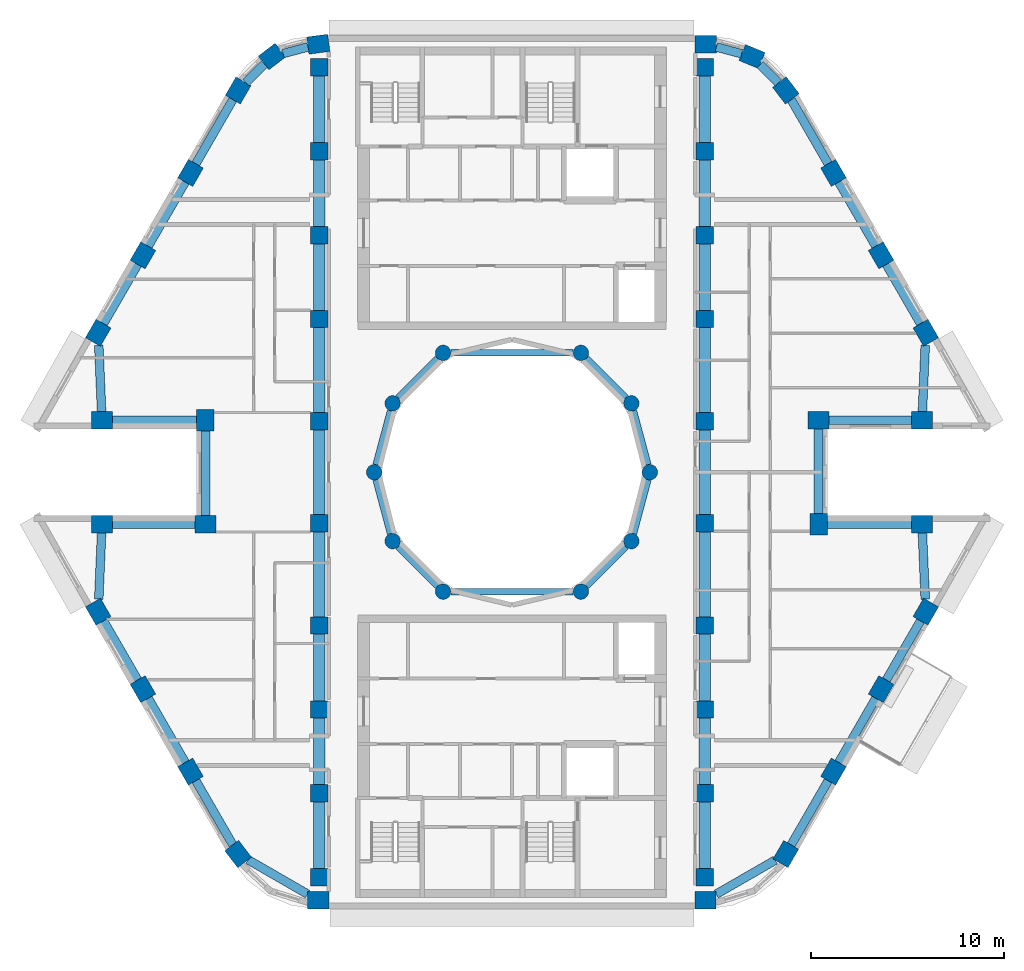
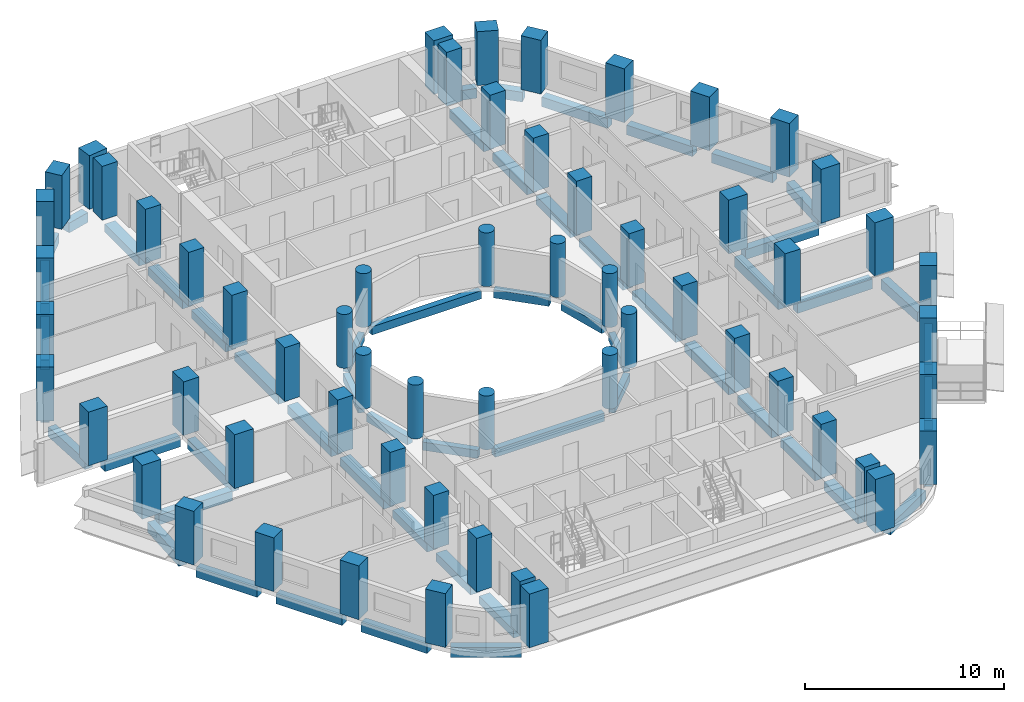
# One storey, part 1 of 12: 60 columns, 56 beams.
"""IFC4 building model written with IfcOpenShell, lengths in metres."""

from ifc_helpers import new_model, si_unit, direction, frame, origin, origin_2d, place, context, subcontext, project, spatial, rectangle, circle, extrude, material, material_profile, profile_set, type_object, element, save


model = new_model("IFC4")

# Units and contexts
model_context = context("Model", 3, precision=1e-05, world=origin(), true_north=direction((0.0, 1.0)))
body_context = subcontext(model_context, "Body", "Model", "MODEL_VIEW")
ifc_project = project(units=[si_unit("LENGTHUNIT", "METRE"), si_unit("AREAUNIT", "SQUARE_METRE"), si_unit("VOLUMEUNIT", "CUBIC_METRE"), si_unit("PLANEANGLEUNIT", "RADIAN"), si_unit("MASSUNIT", "GRAM", prefix="KILO")], contexts=[model_context])

# Site, building, storey
site_placement = place(None, origin())
site = spatial("IfcSite", under=ifc_project, at=site_placement, CompositionType="ELEMENT")
building_placement = place(site_placement, origin())
building = spatial("IfcBuilding", under=site, at=building_placement, Name="Nakaniwa Court", CompositionType="ELEMENT")
storey_placement = place(building_placement, frame((0.0, 0.0, 236.10009765625)))
storey = spatial("IfcBuildingStorey", under=building, at=storey_placement, Name="L61", CompositionType="ELEMENT", Elevation=236.10009765625)

# Columns
ifc_material = material(Name="Concrete C80/100", Category="concrete")
ifc_material_profile_1 = material_profile(ifc_material, rectangle(XDim=1.10009765625, YDim=0.89990234375, at=origin_2d()), Name="Concrete C80/100 RC 1100x900 perimeter column")
ifc_profile_set_1 = profile_set([ifc_material_profile_1], Name="Concrete C80/100")
column_type_1 = type_object("IfcColumnType", Name="Concrete C80/100 RC 1100x900 perimeter column", PredefinedType="COLUMN", material=ifc_profile_set_1)
for number, where, z_axis, x_axis, name in (
    (1, (69.95458984375, 102.199951171875, 0.0), (0.0, 0.0, 1.0), (-0.991442583111, -0.130543496177, 0.0), "COLUMN CO-01"),
    (2, (67.552001953125, 101.560302734375, 0.0), (0.0, 0.0, 1.0), (-0.793363965062, -0.608747582288, 0.0), "COLUMN CO-02"),
    (3, (65.796875, 99.799560546875, 0.0), (0.0, 0.0, 1.0), (-0.5, -0.866025403784, 0.0), "COLUMN CO-03"),
    (4, (63.328857421875, 95.524658203125, 0.0), (0.0, 0.0, 1.0), (-0.5, -0.866025403784, 0.0), "COLUMN CO-04"),
    (5, (60.860595703125, 91.249755859375, 0.0), (0.0, 0.0, 1.0), (-0.5, -0.866025403784, 0.0), "COLUMN CO-05"),
    (6, (58.541015625, 87.232177734375, 0.0), (0.0, 0.0, 1.0), (-0.5, -0.866025403784, 0.0), "COLUMN CO-06"),
    (7, (58.736083984375, 82.699951171875, 0.0), (0.0, 0.0, 1.0), (1.0, 0.0, 0.0), "COLUMN CO-08"),
    (8, (64.1005859375, 82.699951171875, 0.0), (0.0, 0.0, 1.0), (0.0, -1.0, 0.0), "COLUMN CO-09"),
    (9, (64.1005859375, 77.300048828125, 0.0), (0.0, 0.0, 1.0), (-1.0, 0.0, 0.0), "COLUMN CO-10"),
    (10, (58.736083984375, 77.300048828125, 0.0), (0.0, 0.0, 1.0), (-1.0, 0.0, 0.0), "COLUMN CO-11"),
    (11, (58.541015625, 72.767822265625, 0.0), (0.0, 0.0, 1.0), (0.5, -0.866025403784, 0.0), "COLUMN CO-13"),
    (12, (60.860595703125, 68.750244140625, 0.0), (0.0, 0.0, 1.0), (0.5, -0.866025403784, 0.0), "COLUMN CO-14"),
    (13, (63.328857421875, 64.475341796875, 0.0), (0.0, 0.0, 1.0), (0.5, -0.866025403784, 0.0), "COLUMN CO-15"),
    (14, (65.796875, 60.200439453125, 0.0), (0.0, 0.0, 1.0), (0.608761429009, -0.793353340291, 0.0), "COLUMN CO-16"),
    (15, (69.95458984375, 57.800048828125, 0.0), (0.0, 0.0, 1.0), (1.0, 0.0, 0.0), "COLUMN CO-17"),
    (16, (90.03955078125, 57.800048828125, 0.0), (0.0, 0.0, 1.0), (1.0, 0.0, 0.0), "COLUMN CO-21"),
    (17, (94.203125, 60.200439453125, 0.0), (0.0, 0.0, 1.0), (0.5, 0.866025403784, 0.0), "COLUMN CO-22"),
    (18, (96.671142578125, 64.475341796875, 0.0), (0.0, 0.0, 1.0), (0.5, 0.866025403784, 0.0), "COLUMN CO-23"),
    (19, (99.139404296875, 68.750244140625, 0.0), (0.0, 0.0, 1.0), (0.5, 0.866025403784, 0.0), "COLUMN CO-24"),
    (20, (101.458984375, 72.767822265625, 0.0), (0.0, 0.0, 1.0), (0.5, 0.866025403784, 0.0), "COLUMN CO-25"),
    (21, (101.263916015625, 77.300048828125, 0.0), (0.0, 0.0, 1.0), (-1.0, 0.0, 0.0), "COLUMN CO-27"),
    (22, (95.8994140625, 77.300048828125, 0.0), (0.0, 0.0, 1.0), (0.0, 1.0, 0.0), "COLUMN CO-28"),
    (23, (95.8994140625, 82.699951171875, 0.0), (0.0, 0.0, 1.0), (1.0, 0.0, 0.0), "COLUMN CO-29"),
    (24, (101.263916015625, 82.699951171875, 0.0), (0.0, 0.0, 1.0), (1.0, 0.0, 0.0), "COLUMN CO-30"),
    (25, (101.458984375, 87.232177734375, 0.0), (0.0, 0.0, 1.0), (-0.5, 0.866025403784, 0.0), "COLUMN CO-32"),
    (26, (99.139404296875, 91.249755859375, 0.0), (0.0, 0.0, 1.0), (-0.5, 0.866025403784, 0.0), "COLUMN CO-33"),
    (27, (96.671142578125, 95.524658203125, 0.0), (0.0, 0.0, 1.0), (-0.5, 0.866025403784, 0.0), "COLUMN CO-34"),
    (28, (94.203125, 99.799560546875, 0.0), (0.0, 0.0, 1.0), (-0.608761429009, 0.793353340291, 0.0), "COLUMN CO-35"),
    (29, (92.447998046875, 101.560302734375, 0.0), (0.0, 0.0, 1.0), (-0.923879532511, 0.382683432365, 0.0), "COLUMN CO-36"),
    (30, (90.04541015625, 102.199951171875, 0.0), (0.0, 0.0, 1.0), (-1.0, 0.0, 0.0), "COLUMN CO-37"),
):
    element("IfcColumn", number, at=place(storey_placement, frame(where, z_axis=z_axis, x_axis=x_axis)), inside=storey, type_object=column_type_1, Name=name, PredefinedType="COLUMN", context=body_context, shape_type="SweptSolid", body=[
        extrude(rectangle(XDim=1.10009765625, YDim=0.89990234375, at=origin_2d()), origin(), (0.0, 0.0, 1.0), 3.2998046875),
    ])
ifc_material_profile_2 = material_profile(ifc_material, rectangle(XDim=0.89990234375, YDim=0.89990234375, at=origin_2d()), Name="Concrete C80/100 RC 900x900 spine column")
ifc_profile_set_2 = profile_set([ifc_material_profile_2], Name="Concrete C80/100")
column_type_2 = type_object("IfcColumnType", Name="Concrete C80/100 RC 900x900 spine column", PredefinedType="COLUMN", material=ifc_profile_set_2)
for number, where, z_axis, x_axis, name in (
    (31, (90.0, 59.0, 0.0), (0.0, 0.0, 1.0), (0.0, 1.0, 0.0), "COLUMN CS-01"),
    (32, (90.0, 63.35009765625, 0.0), (0.0, 0.0, 1.0), (0.0, 1.0, 0.0), "COLUMN CS-02"),
    (33, (90.0, 67.699951171875, 0.0), (0.0, 0.0, 1.0), (0.0, 1.0, 0.0), "COLUMN CS-03"),
    (34, (90.0, 72.050048828125, 0.0), (0.0, 0.0, 1.0), (0.0, 1.0, 0.0), "COLUMN CS-04"),
    (35, (90.0, 77.35009765625, 0.0), (0.0, 0.0, 1.0), (0.0, 1.0, 0.0), "COLUMN CS-05"),
    (36, (90.0, 82.64990234375, 0.0), (0.0, 0.0, 1.0), (0.0, 1.0, 0.0), "COLUMN CS-06"),
    (37, (90.0, 87.949951171875, 0.0), (0.0, 0.0, 1.0), (0.0, 1.0, 0.0), "COLUMN CS-07"),
    (38, (90.0, 92.300048828125, 0.0), (0.0, 0.0, 1.0), (0.0, 1.0, 0.0), "COLUMN CS-08"),
    (39, (90.0, 96.64990234375, 0.0), (0.0, 0.0, 1.0), (0.0, 1.0, 0.0), "COLUMN CS-09"),
    (40, (90.0, 101.0, 0.0), (0.0, 0.0, 1.0), (0.0, 1.0, 0.0), "COLUMN CS-10"),
    (41, (70.0, 101.0, 0.0), (0.0, 0.0, 1.0), (0.0, -1.0, 0.0), "COLUMN CS-11"),
    (42, (70.0, 96.64990234375, 0.0), (0.0, 0.0, 1.0), (0.0, -1.0, 0.0), "COLUMN CS-12"),
    (43, (70.0, 92.300048828125, 0.0), (0.0, 0.0, 1.0), (0.0, -1.0, 0.0), "COLUMN CS-13"),
    (44, (70.0, 87.949951171875, 0.0), (0.0, 0.0, 1.0), (0.0, -1.0, 0.0), "COLUMN CS-14"),
    (45, (70.0, 82.64990234375, 0.0), (0.0, 0.0, 1.0), (0.0, -1.0, 0.0), "COLUMN CS-15"),
    (46, (70.0, 77.35009765625, 0.0), (0.0, 0.0, 1.0), (0.0, -1.0, 0.0), "COLUMN CS-16"),
    (47, (70.0, 72.050048828125, 0.0), (0.0, 0.0, 1.0), (0.0, -1.0, 0.0), "COLUMN CS-17"),
    (48, (70.0, 67.699951171875, 0.0), (0.0, 0.0, 1.0), (0.0, -1.0, 0.0), "COLUMN CS-18"),
    (49, (70.0, 63.35009765625, 0.0), (0.0, 0.0, 1.0), (0.0, -1.0, 0.0), "COLUMN CS-19"),
    (50, (70.0, 59.0, 0.0), (0.0, 0.0, 1.0), (0.0, -1.0, 0.0), "COLUMN CS-20"),
):
    element("IfcColumn", number, at=place(storey_placement, frame(where, z_axis=z_axis, x_axis=x_axis)), inside=storey, type_object=column_type_2, Name=name, PredefinedType="COLUMN", context=body_context, shape_type="SweptSolid", body=[
        extrude(rectangle(XDim=0.89990234375, YDim=0.89990234375, at=origin_2d()), origin(), (0.0, 0.0, 1.0), 3.2998046875),
    ])
ifc_material_profile_3 = material_profile(ifc_material, circle(Radius=0.39990234375, at=origin_2d()), Name="Concrete C80/100 RC D800 inner ring column")
ifc_profile_set_3 = profile_set([ifc_material_profile_3], Name="Concrete C80/100")
column_type_3 = type_object("IfcColumnType", Name="Concrete C80/100 RC D800 inner ring column", PredefinedType="COLUMN", material=ifc_profile_set_3)
for number, where, z_axis, x_axis, name in (
    (51, (87.14990234375, 80.0, 0.0), (0.0, 0.0, 1.0), (0.0, 1.0, 0.0), "COLUMN CI-01"),
    (52, (86.192138671875, 83.574951171875, 0.0), (0.0, 0.0, 1.0), (-0.5, 0.866025403784, 0.0), "COLUMN CI-02"),
    (53, (83.574951171875, 86.192138671875, 0.0), (0.0, 0.0, 1.0), (-0.866025403784, 0.5, 0.0), "COLUMN CI-03"),
    (54, (76.425048828125, 86.192138671875, 0.0), (0.0, 0.0, 1.0), (-0.866025403784, -0.5, 0.0), "COLUMN CI-05"),
    (55, (73.807861328125, 83.574951171875, 0.0), (0.0, 0.0, 1.0), (-0.5, -0.866025403784, 0.0), "COLUMN CI-06"),
    (56, (72.85009765625, 80.0, 0.0), (0.0, 0.0, 1.0), (0.0, -1.0, 0.0), "COLUMN CI-07"),
    (57, (73.807861328125, 76.425048828125, 0.0), (0.0, 0.0, 1.0), (0.5, -0.866025403784, 0.0), "COLUMN CI-08"),
    (58, (76.425048828125, 73.807861328125, 0.0), (0.0, 0.0, 1.0), (0.866025403784, -0.5, 0.0), "COLUMN CI-09"),
    (59, (83.574951171875, 73.807861328125, 0.0), (0.0, 0.0, 1.0), (0.866025403784, 0.5, 0.0), "COLUMN CI-11"),
    (60, (86.192138671875, 76.425048828125, 0.0), (0.0, 0.0, 1.0), (0.5, 0.866025403784, 0.0), "COLUMN CI-12"),
):
    element("IfcColumn", number, at=place(storey_placement, frame(where, z_axis=z_axis, x_axis=x_axis)), inside=storey, type_object=column_type_3, Name=name, PredefinedType="COLUMN", context=body_context, shape_type="SweptSolid", body=[
        extrude(circle(Radius=0.39990234375, at=origin_2d()), origin(), (0.0, 0.0, 1.0), 3.2998046875),
    ])

# Beams
ifc_material_profile_4 = material_profile(ifc_material, rectangle(XDim=0.35009765625, YDim=0.5, at=origin_2d()), Name="Concrete C80/100 RC 350x500 ring beam")
ifc_profile_set_4 = profile_set([ifc_material_profile_4], Name="Concrete C80/100")
beam_type_1 = type_object("IfcBeamType", Name="Concrete C80/100 RC 350x500 ring beam", PredefinedType="BEAM", material=ifc_profile_set_4)
beam_1_placement = place(storey_placement, frame((87.04638671875, 80.386474609375, -0.525146484375), z_axis=(-0.258778150207, 0.965936783115, 0.0), x_axis=(-0.965936783115, -0.258778150207, 0.0)))
element("IfcBeam", 61, at=beam_1_placement, inside=storey, type_object=beam_type_1, Name="RING BEAM", PredefinedType="BEAM", context=body_context, shape_type="SweptSolid", body=[
    extrude(rectangle(XDim=0.35009765625, YDim=0.5, at=origin_2d()), origin(), (0.0, 0.0, 1.0), 2.901123046875),
])
beam_2_placement = place(storey_placement, frame((85.9091796875, 83.85791015625, -0.525146484375), z_axis=(-0.707106781187, 0.707106781187, 0.0), x_axis=(-0.707106781187, -0.707106781187, 0.0)))
element("IfcBeam", 62, at=beam_2_placement, inside=storey, type_object=beam_type_1, Name="RING BEAM", PredefinedType="BEAM", context=body_context, shape_type="SweptSolid", body=[
    extrude(rectangle(XDim=0.35009765625, YDim=0.5, at=origin_2d()), origin(), (0.0, 0.0, 1.0), 2.90087890625),
])
beam_3_placement = place(storey_placement, frame((83.175048828125, 86.192138671875, -0.525146484375), z_axis=(-1.0, 0.0, 0.0), x_axis=(0.0, -1.0, 0.0)))
element("IfcBeam", 63, at=beam_3_placement, inside=storey, type_object=beam_type_1, Name="RING BEAM", PredefinedType="BEAM", context=body_context, shape_type="SweptSolid", body=[
    extrude(rectangle(XDim=0.35009765625, YDim=0.5, at=origin_2d()), origin(), (0.0, 0.0, 1.0), 6.35009765625),
])
beam_4_placement = place(storey_placement, frame((76.14208984375, 85.9091796875, -0.525146484375), z_axis=(-0.707106781187, -0.707106781187, 0.0), x_axis=(0.707106781187, -0.707106781187, 0.0)))
element("IfcBeam", 64, at=beam_4_placement, inside=storey, type_object=beam_type_1, Name="RING BEAM", PredefinedType="BEAM", context=body_context, shape_type="SweptSolid", body=[
    extrude(rectangle(XDim=0.35009765625, YDim=0.5, at=origin_2d()), origin(), (0.0, 0.0, 1.0), 2.90087890625),
])
for number, where, z_axis, x_axis, name in (
    (65, (73.704345703125, 83.188720703125, -0.525146484375), (-0.258778150207, -0.965936783115, 0.0), (0.965936783115, -0.258778150207, 0.0), "RING BEAM"),
    (66, (72.95361328125, 79.613525390625, -0.525146484375), (0.258778150207, -0.965936783115, 0.0), (0.965936783115, 0.258778150207, 0.0), "RING BEAM"),
):
    element("IfcBeam", number, at=place(storey_placement, frame(where, z_axis=z_axis, x_axis=x_axis)), inside=storey, type_object=beam_type_1, Name=name, PredefinedType="BEAM", context=body_context, shape_type="SweptSolid", body=[
        extrude(rectangle(XDim=0.35009765625, YDim=0.5, at=origin_2d()), origin(), (0.0, 0.0, 1.0), 2.901123046875),
    ])
beam_5_placement = place(storey_placement, frame((74.0908203125, 76.14208984375, -0.525146484375), z_axis=(0.707106781187, -0.707106781187, 0.0), x_axis=(0.707106781187, 0.707106781187, 0.0)))
element("IfcBeam", 67, at=beam_5_placement, inside=storey, type_object=beam_type_1, Name="RING BEAM", PredefinedType="BEAM", context=body_context, shape_type="SweptSolid", body=[
    extrude(rectangle(XDim=0.35009765625, YDim=0.5, at=origin_2d()), origin(), (0.0, 0.0, 1.0), 2.90087890625),
])
beam_6_placement = place(storey_placement, frame((76.824951171875, 73.807861328125, -0.525146484375), z_axis=(1.0, 0.0, 0.0), x_axis=(0.0, 1.0, 0.0)))
element("IfcBeam", 68, at=beam_6_placement, inside=storey, type_object=beam_type_1, Name="RING BEAM", PredefinedType="BEAM", context=body_context, shape_type="SweptSolid", body=[
    extrude(rectangle(XDim=0.35009765625, YDim=0.5, at=origin_2d()), origin(), (0.0, 0.0, 1.0), 6.35009765625),
])
beam_7_placement = place(storey_placement, frame((83.85791015625, 74.0908203125, -0.525146484375), z_axis=(0.707106781187, 0.707106781187, 0.0), x_axis=(-0.707106781187, 0.707106781187, 0.0)))
element("IfcBeam", 69, at=beam_7_placement, inside=storey, type_object=beam_type_1, Name="RING BEAM", PredefinedType="BEAM", context=body_context, shape_type="SweptSolid", body=[
    extrude(rectangle(XDim=0.35009765625, YDim=0.5, at=origin_2d()), origin(), (0.0, 0.0, 1.0), 2.90087890625),
])
beam_8_placement = place(storey_placement, frame((86.295654296875, 76.811279296875, -0.525146484375), z_axis=(0.258778150207, 0.965936783115, 0.0), x_axis=(-0.965936783115, 0.258778150207, 0.0)))
element("IfcBeam", 70, at=beam_8_placement, inside=storey, type_object=beam_type_1, Name="RING BEAM", PredefinedType="BEAM", context=body_context, shape_type="SweptSolid", body=[
    extrude(rectangle(XDim=0.35009765625, YDim=0.5, at=origin_2d()), origin(), (0.0, 0.0, 1.0), 2.901123046875),
])
ifc_material_profile_5 = material_profile(ifc_material, rectangle(XDim=0.449951171875, YDim=0.60009765625, at=origin_2d()), Name="Concrete C80/100 RC 450x600 spandrel beam")
ifc_profile_set_5 = profile_set([ifc_material_profile_5], Name="Concrete C80/100")
beam_type_2 = type_object("IfcBeamType", Name="Concrete C80/100 RC 450x600 spandrel beam", PredefinedType="BEAM", material=ifc_profile_set_5)
beam_9_placement = place(storey_placement, frame((69.418701171875, 102.057373046875, -0.5751953125), z_axis=(-0.966286479475, -0.257469298332, 0.0), x_axis=(0.257469298332, -0.966286479475, 0.0)))
element("IfcBeam", 71, at=beam_9_placement, inside=storey, type_object=beam_type_2, Name="SPANDREL BEAM", PredefinedType="BEAM", context=body_context, shape_type="SweptSolid", body=[
    extrude(rectangle(XDim=0.449951171875, YDim=0.60009765625, at=origin_2d()), origin(), (0.0, 0.0, 1.0), 1.3359375),
])
beam_10_placement = place(storey_placement, frame((67.160400390625, 101.167236328125, -0.5751953125), z_axis=(-0.706030517025, -0.708181409689, 0.0), x_axis=(0.708181409689, -0.706030517025, 0.0)))
element("IfcBeam", 72, at=beam_10_placement, inside=storey, type_object=beam_type_2, Name="SPANDREL BEAM", PredefinedType="BEAM", context=body_context, shape_type="SweptSolid", body=[
    extrude(rectangle(XDim=0.449951171875, YDim=0.60009765625, at=origin_2d()), origin(), (0.0, 0.0, 1.0), 1.362060546875),
])
for number, where, z_axis, x_axis, name in (
    (73, (65.52197265625, 99.3232421875, -0.5751953125), (-0.50001992892, -0.866013897511, 0.0), (0.866013897511, -0.50001992892, 0.0), "SPANDREL BEAM"),
    (74, (63.0537109375, 95.04833984375, -0.5751953125), (-0.499972197867, -0.866041454758, 0.0), (0.866041454758, -0.499972197867, 0.0), "SPANDREL BEAM"),
):
    element("IfcBeam", number, at=place(storey_placement, frame(where, z_axis=z_axis, x_axis=x_axis)), inside=storey, type_object=beam_type_2, Name=name, PredefinedType="BEAM", context=body_context, shape_type="SweptSolid", body=[
        extrude(rectangle(XDim=0.449951171875, YDim=0.60009765625, at=origin_2d()), origin(), (0.0, 0.0, 1.0), 3.836181640625),
    ])
beam_11_placement = place(storey_placement, frame((60.585693359375, 90.7734375, -0.5751953125), z_axis=(-0.499997139945, -0.866027055032, 0.0), x_axis=(0.866027055032, -0.499997139945, 0.0)))
element("IfcBeam", 75, at=beam_11_placement, inside=storey, type_object=beam_type_2, Name="SPANDREL BEAM", PredefinedType="BEAM", context=body_context, shape_type="SweptSolid", body=[
    extrude(rectangle(XDim=0.449951171875, YDim=0.60009765625, at=origin_2d()), origin(), (0.0, 0.0, 1.0), 3.5390625),
])
beam_12_placement = place(storey_placement, frame((58.569091796875, 86.580810546875, -0.5751953125), z_axis=(0.042940503042, -0.999077631217, 0.0), x_axis=(0.999077631217, 0.042940503042, 0.0)))
element("IfcBeam", 76, at=beam_12_placement, inside=storey, type_object=beam_type_2, Name="SPANDREL BEAM", PredefinedType="BEAM", context=body_context, shape_type="SweptSolid", body=[
    extrude(rectangle(XDim=0.449951171875, YDim=0.60009765625, at=origin_2d()), origin(), (0.0, 0.0, 1.0), 3.43408203125),
])
beam_13_placement = place(storey_placement, frame((59.285888671875, 82.699951171875, -0.5751953125), z_axis=(1.0, 0.0, 0.0), x_axis=(0.0, 1.0, 0.0)))
element("IfcBeam", 77, at=beam_13_placement, inside=storey, type_object=beam_type_2, Name="SPANDREL BEAM", PredefinedType="BEAM", context=body_context, shape_type="SweptSolid", body=[
    extrude(rectangle(XDim=0.449951171875, YDim=0.60009765625, at=origin_2d()), origin(), (0.0, 0.0, 1.0), 4.364501953125),
])
beam_14_placement = place(storey_placement, frame((64.1005859375, 82.14990234375, -0.5751953125), z_axis=(0.0, -1.0, 0.0), x_axis=(1.0, 0.0, 0.0)))
element("IfcBeam", 78, at=beam_14_placement, inside=storey, type_object=beam_type_2, Name="SPANDREL BEAM", PredefinedType="BEAM", context=body_context, shape_type="SweptSolid", body=[
    extrude(rectangle(XDim=0.449951171875, YDim=0.60009765625, at=origin_2d()), origin(), (0.0, 0.0, 1.0), 4.39990234375),
])
beam_15_placement = place(storey_placement, frame((63.550537109375, 77.300048828125, -0.5751953125), z_axis=(-1.0, 0.0, 0.0), x_axis=(0.0, -1.0, 0.0)))
element("IfcBeam", 79, at=beam_15_placement, inside=storey, type_object=beam_type_2, Name="SPANDREL BEAM", PredefinedType="BEAM", context=body_context, shape_type="SweptSolid", body=[
    extrude(rectangle(XDim=0.449951171875, YDim=0.60009765625, at=origin_2d()), origin(), (0.0, 0.0, 1.0), 4.2646484375),
])
beam_16_placement = place(storey_placement, frame((58.716552734375, 76.85009765625, -0.5751953125), z_axis=(-0.042940503042, -0.999077631217, 0.0), x_axis=(0.999077631217, -0.042940503042, 0.0)))
element("IfcBeam", 80, at=beam_16_placement, inside=storey, type_object=beam_type_2, Name="SPANDREL BEAM", PredefinedType="BEAM", context=body_context, shape_type="SweptSolid", body=[
    extrude(rectangle(XDim=0.449951171875, YDim=0.60009765625, at=origin_2d()), origin(), (0.0, 0.0, 1.0), 3.43408203125),
])
beam_17_placement = place(storey_placement, frame((58.816162109375, 72.29150390625, -0.5751953125), z_axis=(0.499997139945, -0.866027055032, 0.0), x_axis=(0.866027055032, 0.499997139945, 0.0)))
element("IfcBeam", 81, at=beam_17_placement, inside=storey, type_object=beam_type_2, Name="SPANDREL BEAM", PredefinedType="BEAM", context=body_context, shape_type="SweptSolid", body=[
    extrude(rectangle(XDim=0.449951171875, YDim=0.60009765625, at=origin_2d()), origin(), (0.0, 0.0, 1.0), 3.5390625),
])
beam_18_placement = place(storey_placement, frame((61.1357421875, 68.27392578125, -0.5751953125), z_axis=(0.499972197867, -0.866041454758, 0.0), x_axis=(0.866041454758, 0.499972197867, 0.0)))
element("IfcBeam", 82, at=beam_18_placement, inside=storey, type_object=beam_type_2, Name="SPANDREL BEAM", PredefinedType="BEAM", context=body_context, shape_type="SweptSolid", body=[
    extrude(rectangle(XDim=0.449951171875, YDim=0.60009765625, at=origin_2d()), origin(), (0.0, 0.0, 1.0), 3.836181640625),
])
beam_19_placement = place(storey_placement, frame((63.603759765625, 63.9990234375, -0.5751953125), z_axis=(0.500011110731, -0.866018988906, 0.0), x_axis=(0.866018988906, 0.500011110731, 0.0)))
element("IfcBeam", 83, at=beam_19_placement, inside=storey, type_object=beam_type_2, Name="SPANDREL BEAM", PredefinedType="BEAM", context=body_context, shape_type="SweptSolid", body=[
    extrude(rectangle(XDim=0.449951171875, YDim=0.60009765625, at=origin_2d()), origin(), (0.0, 0.0, 1.0), 3.83154296875),
])
beam_20_placement = place(storey_placement, frame((66.3125, 59.90283203125, -0.5751953125), z_axis=(0.866017069707, -0.500014434768, 0.0), x_axis=(0.500014434768, 0.866017069707, 0.0)))
element("IfcBeam", 84, at=beam_20_placement, inside=storey, type_object=beam_type_2, Name="SPANDREL BEAM", PredefinedType="BEAM", context=body_context, shape_type="SweptSolid", body=[
    extrude(rectangle(XDim=0.449951171875, YDim=0.60009765625, at=origin_2d()), origin(), (0.0, 0.0, 1.0), 3.57080078125),
])
beam_21_placement = place(storey_placement, frame((90.589599609375, 58.1171875, -0.5751953125), z_axis=(0.866307414098, 0.499511225378, 0.0), x_axis=(-0.499511225378, 0.866307414098, 0.0)))
element("IfcBeam", 85, at=beam_21_placement, inside=storey, type_object=beam_type_2, Name="SPANDREL BEAM", PredefinedType="BEAM", context=body_context, shape_type="SweptSolid", body=[
    extrude(rectangle(XDim=0.449951171875, YDim=0.60009765625, at=origin_2d()), origin(), (0.0, 0.0, 1.0), 3.53564453125),
])
for number, where, z_axis, x_axis, name in (
    (86, (94.47802734375, 60.6767578125, -0.5751953125), (0.50001992892, 0.866013897511, 0.0), (-0.866013897511, 0.50001992892, 0.0), "SPANDREL BEAM"),
    (87, (96.9462890625, 64.95166015625, -0.5751953125), (0.499972197867, 0.866041454758, 0.0), (-0.866041454758, 0.499972197867, 0.0), "SPANDREL BEAM"),
):
    element("IfcBeam", number, at=place(storey_placement, frame(where, z_axis=z_axis, x_axis=x_axis)), inside=storey, type_object=beam_type_2, Name=name, PredefinedType="BEAM", context=body_context, shape_type="SweptSolid", body=[
        extrude(rectangle(XDim=0.449951171875, YDim=0.60009765625, at=origin_2d()), origin(), (0.0, 0.0, 1.0), 3.836181640625),
    ])
beam_22_placement = place(storey_placement, frame((99.414306640625, 69.2265625, -0.5751953125), z_axis=(0.499997139945, 0.866027055032, 0.0), x_axis=(-0.866027055032, 0.499997139945, 0.0)))
element("IfcBeam", 88, at=beam_22_placement, inside=storey, type_object=beam_type_2, Name="SPANDREL BEAM", PredefinedType="BEAM", context=body_context, shape_type="SweptSolid", body=[
    extrude(rectangle(XDim=0.449951171875, YDim=0.60009765625, at=origin_2d()), origin(), (0.0, 0.0, 1.0), 3.5390625),
])
beam_23_placement = place(storey_placement, frame((101.430908203125, 73.419189453125, -0.5751953125), z_axis=(-0.042940503042, 0.999077631217, 0.0), x_axis=(-0.999077631217, -0.042940503042, 0.0)))
element("IfcBeam", 89, at=beam_23_placement, inside=storey, type_object=beam_type_2, Name="SPANDREL BEAM", PredefinedType="BEAM", context=body_context, shape_type="SweptSolid", body=[
    extrude(rectangle(XDim=0.449951171875, YDim=0.60009765625, at=origin_2d()), origin(), (0.0, 0.0, 1.0), 3.43408203125),
])
beam_24_placement = place(storey_placement, frame((100.714111328125, 77.300048828125, -0.5751953125), z_axis=(-1.0, 0.0, 0.0), x_axis=(0.0, -1.0, 0.0)))
element("IfcBeam", 90, at=beam_24_placement, inside=storey, type_object=beam_type_2, Name="SPANDREL BEAM", PredefinedType="BEAM", context=body_context, shape_type="SweptSolid", body=[
    extrude(rectangle(XDim=0.449951171875, YDim=0.60009765625, at=origin_2d()), origin(), (0.0, 0.0, 1.0), 4.364501953125),
])
beam_25_placement = place(storey_placement, frame((95.8994140625, 77.85009765625, -0.5751953125), z_axis=(0.0, 1.0, 0.0), x_axis=(-1.0, 0.0, 0.0)))
element("IfcBeam", 91, at=beam_25_placement, inside=storey, type_object=beam_type_2, Name="SPANDREL BEAM", PredefinedType="BEAM", context=body_context, shape_type="SweptSolid", body=[
    extrude(rectangle(XDim=0.449951171875, YDim=0.60009765625, at=origin_2d()), origin(), (0.0, 0.0, 1.0), 4.39990234375),
])
beam_26_placement = place(storey_placement, frame((96.449462890625, 82.699951171875, -0.5751953125), z_axis=(1.0, 0.0, 0.0), x_axis=(0.0, 1.0, 0.0)))
element("IfcBeam", 92, at=beam_26_placement, inside=storey, type_object=beam_type_2, Name="SPANDREL BEAM", PredefinedType="BEAM", context=body_context, shape_type="SweptSolid", body=[
    extrude(rectangle(XDim=0.449951171875, YDim=0.60009765625, at=origin_2d()), origin(), (0.0, 0.0, 1.0), 4.2646484375),
])
beam_27_placement = place(storey_placement, frame((101.283447265625, 83.14990234375, -0.5751953125), z_axis=(0.042940503042, 0.999077631217, 0.0), x_axis=(-0.999077631217, 0.042940503042, 0.0)))
element("IfcBeam", 93, at=beam_27_placement, inside=storey, type_object=beam_type_2, Name="SPANDREL BEAM", PredefinedType="BEAM", context=body_context, shape_type="SweptSolid", body=[
    extrude(rectangle(XDim=0.449951171875, YDim=0.60009765625, at=origin_2d()), origin(), (0.0, 0.0, 1.0), 3.43408203125),
])
beam_28_placement = place(storey_placement, frame((101.183837890625, 87.70849609375, -0.5751953125), z_axis=(-0.499997139945, 0.866027055032, 0.0), x_axis=(-0.866027055032, -0.499997139945, 0.0)))
element("IfcBeam", 94, at=beam_28_placement, inside=storey, type_object=beam_type_2, Name="SPANDREL BEAM", PredefinedType="BEAM", context=body_context, shape_type="SweptSolid", body=[
    extrude(rectangle(XDim=0.449951171875, YDim=0.60009765625, at=origin_2d()), origin(), (0.0, 0.0, 1.0), 3.5390625),
])
beam_29_placement = place(storey_placement, frame((98.8642578125, 91.72607421875, -0.5751953125), z_axis=(-0.499972197867, 0.866041454758, 0.0), x_axis=(-0.866041454758, -0.499972197867, 0.0)))
element("IfcBeam", 95, at=beam_29_placement, inside=storey, type_object=beam_type_2, Name="SPANDREL BEAM", PredefinedType="BEAM", context=body_context, shape_type="SweptSolid", body=[
    extrude(rectangle(XDim=0.449951171875, YDim=0.60009765625, at=origin_2d()), origin(), (0.0, 0.0, 1.0), 3.836181640625),
])
beam_30_placement = place(storey_placement, frame((96.396240234375, 96.0009765625, -0.5751953125), z_axis=(-0.500011110731, 0.866018988906, 0.0), x_axis=(-0.866018988906, -0.500011110731, 0.0)))
element("IfcBeam", 96, at=beam_30_placement, inside=storey, type_object=beam_type_2, Name="SPANDREL BEAM", PredefinedType="BEAM", context=body_context, shape_type="SweptSolid", body=[
    extrude(rectangle(XDim=0.449951171875, YDim=0.60009765625, at=origin_2d()), origin(), (0.0, 0.0, 1.0), 3.83154296875),
])
beam_31_placement = place(storey_placement, frame((93.8115234375, 100.1923828125, -0.5751953125), z_axis=(-0.706100745773, 0.708111387296, 0.0), x_axis=(-0.708111387296, -0.706100745773, 0.0)))
element("IfcBeam", 97, at=beam_31_placement, inside=storey, type_object=beam_type_2, Name="SPANDREL BEAM", PredefinedType="BEAM", context=body_context, shape_type="SweptSolid", body=[
    extrude(rectangle(XDim=0.449951171875, YDim=0.60009765625, at=origin_2d()), origin(), (0.0, 0.0, 1.0), 1.335693359375),
])
beam_32_placement = place(storey_placement, frame((91.91162109375, 101.702880859375, -0.5751953125), z_axis=(-0.966318174979, 0.257350315146, 0.0), x_axis=(-0.257350315146, -0.966318174979, 0.0)))
element("IfcBeam", 98, at=beam_32_placement, inside=storey, type_object=beam_type_2, Name="SPANDREL BEAM", PredefinedType="BEAM", context=body_context, shape_type="SweptSolid", body=[
    extrude(rectangle(XDim=0.449951171875, YDim=0.60009765625, at=origin_2d()), origin(), (0.0, 0.0, 1.0), 1.3623046875),
])
ifc_material_profile_6 = material_profile(ifc_material, rectangle(XDim=0.60009765625, YDim=0.5, at=origin_2d()), Name="Concrete C80/100 RC 600x500 ring beam")
ifc_profile_set_6 = profile_set([ifc_material_profile_6], Name="Concrete C80/100")
beam_type_3 = type_object("IfcBeamType", Name="Concrete C80/100 RC 600x500 ring beam", PredefinedType="BEAM", material=ifc_profile_set_6)
for number, where, z_axis, x_axis, name in (
    (99, (90.0, 59.449951171875, -0.525146484375), (0.0, 1.0, 0.0), (-1.0, 0.0, 0.0), "RING BEAM"),
    (100, (90.0, 63.800048828125, -0.525146484375), (0.0, 1.0, 0.0), (-1.0, 0.0, 0.0), "RING BEAM"),
):
    element("IfcBeam", number, at=place(storey_placement, frame(where, z_axis=z_axis, x_axis=x_axis)), inside=storey, type_object=beam_type_3, Name=name, PredefinedType="BEAM", context=body_context, shape_type="SweptSolid", body=[
        extrude(rectangle(XDim=0.60009765625, YDim=0.5, at=origin_2d()), origin(), (0.0, 0.0, 1.0), 3.449951171875),
    ])
beam_33_placement = place(storey_placement, frame((90.0, 68.14990234375, -0.525146484375), z_axis=(0.0, 1.0, 0.0), x_axis=(-1.0, 0.0, 0.0)))
element("IfcBeam", 101, at=beam_33_placement, inside=storey, type_object=beam_type_3, Name="RING BEAM", PredefinedType="BEAM", context=body_context, shape_type="SweptSolid", body=[
    extrude(rectangle(XDim=0.60009765625, YDim=0.5, at=origin_2d()), origin(), (0.0, 0.0, 1.0), 3.4501953125),
])
for number, where, z_axis, x_axis, name in (
    (102, (90.0, 72.5, -0.525146484375), (0.0, 1.0, 0.0), (-1.0, 0.0, 0.0), "RING BEAM"),
    (103, (90.0, 77.800048828125, -0.525146484375), (0.0, 1.0, 0.0), (-1.0, 0.0, 0.0), "RING BEAM"),
    (104, (90.0, 83.10009765625, -0.525146484375), (0.0, 1.0, 0.0), (-1.0, 0.0, 0.0), "RING BEAM"),
):
    element("IfcBeam", number, at=place(storey_placement, frame(where, z_axis=z_axis, x_axis=x_axis)), inside=storey, type_object=beam_type_3, Name=name, PredefinedType="BEAM", context=body_context, shape_type="SweptSolid", body=[
        extrude(rectangle(XDim=0.60009765625, YDim=0.5, at=origin_2d()), origin(), (0.0, 0.0, 1.0), 4.39990234375),
    ])
beam_34_placement = place(storey_placement, frame((90.0, 88.39990234375, -0.525146484375), z_axis=(0.0, 1.0, 0.0), x_axis=(-1.0, 0.0, 0.0)))
element("IfcBeam", 105, at=beam_34_placement, inside=storey, type_object=beam_type_3, Name="RING BEAM", PredefinedType="BEAM", context=body_context, shape_type="SweptSolid", body=[
    extrude(rectangle(XDim=0.60009765625, YDim=0.5, at=origin_2d()), origin(), (0.0, 0.0, 1.0), 3.4501953125),
])
for number, where, z_axis, x_axis, name in (
    (106, (90.0, 92.75, -0.525146484375), (0.0, 1.0, 0.0), (-1.0, 0.0, 0.0), "RING BEAM"),
    (107, (90.0, 97.10009765625, -0.525146484375), (0.0, 1.0, 0.0), (-1.0, 0.0, 0.0), "RING BEAM"),
    (108, (70.0, 100.550048828125, -0.525146484375), (0.0, -1.0, 0.0), (1.0, 0.0, 0.0), "RING BEAM"),
    (109, (70.0, 96.199951171875, -0.525146484375), (0.0, -1.0, 0.0), (1.0, 0.0, 0.0), "RING BEAM"),
):
    element("IfcBeam", number, at=place(storey_placement, frame(where, z_axis=z_axis, x_axis=x_axis)), inside=storey, type_object=beam_type_3, Name=name, PredefinedType="BEAM", context=body_context, shape_type="SweptSolid", body=[
        extrude(rectangle(XDim=0.60009765625, YDim=0.5, at=origin_2d()), origin(), (0.0, 0.0, 1.0), 3.449951171875),
    ])
beam_35_placement = place(storey_placement, frame((70.0, 91.85009765625, -0.525146484375), z_axis=(0.0, -1.0, 0.0), x_axis=(1.0, 0.0, 0.0)))
element("IfcBeam", 110, at=beam_35_placement, inside=storey, type_object=beam_type_3, Name="RING BEAM", PredefinedType="BEAM", context=body_context, shape_type="SweptSolid", body=[
    extrude(rectangle(XDim=0.60009765625, YDim=0.5, at=origin_2d()), origin(), (0.0, 0.0, 1.0), 3.4501953125),
])
for number, where, z_axis, x_axis, name in (
    (111, (70.0, 87.5, -0.525146484375), (0.0, -1.0, 0.0), (1.0, 0.0, 0.0), "RING BEAM"),
    (112, (70.0, 82.199951171875, -0.525146484375), (0.0, -1.0, 0.0), (1.0, 0.0, 0.0), "RING BEAM"),
    (113, (70.0, 76.89990234375, -0.525146484375), (0.0, -1.0, 0.0), (1.0, 0.0, 0.0), "RING BEAM"),
):
    element("IfcBeam", number, at=place(storey_placement, frame(where, z_axis=z_axis, x_axis=x_axis)), inside=storey, type_object=beam_type_3, Name=name, PredefinedType="BEAM", context=body_context, shape_type="SweptSolid", body=[
        extrude(rectangle(XDim=0.60009765625, YDim=0.5, at=origin_2d()), origin(), (0.0, 0.0, 1.0), 4.39990234375),
    ])
beam_36_placement = place(storey_placement, frame((70.0, 71.60009765625, -0.525146484375), z_axis=(0.0, -1.0, 0.0), x_axis=(1.0, 0.0, 0.0)))
element("IfcBeam", 114, at=beam_36_placement, inside=storey, type_object=beam_type_3, Name="RING BEAM", PredefinedType="BEAM", context=body_context, shape_type="SweptSolid", body=[
    extrude(rectangle(XDim=0.60009765625, YDim=0.5, at=origin_2d()), origin(), (0.0, 0.0, 1.0), 3.4501953125),
])
for number, where, z_axis, x_axis, name in (
    (115, (70.0, 67.25, -0.525146484375), (0.0, -1.0, 0.0), (1.0, 0.0, 0.0), "RING BEAM"),
    (116, (70.0, 62.89990234375, -0.525146484375), (0.0, -1.0, 0.0), (1.0, 0.0, 0.0), "RING BEAM"),
):
    element("IfcBeam", number, at=place(storey_placement, frame(where, z_axis=z_axis, x_axis=x_axis)), inside=storey, type_object=beam_type_3, Name=name, PredefinedType="BEAM", context=body_context, shape_type="SweptSolid", body=[
        extrude(rectangle(XDim=0.60009765625, YDim=0.5, at=origin_2d()), origin(), (0.0, 0.0, 1.0), 3.449951171875),
    ])

save(model, "model.ifc")
